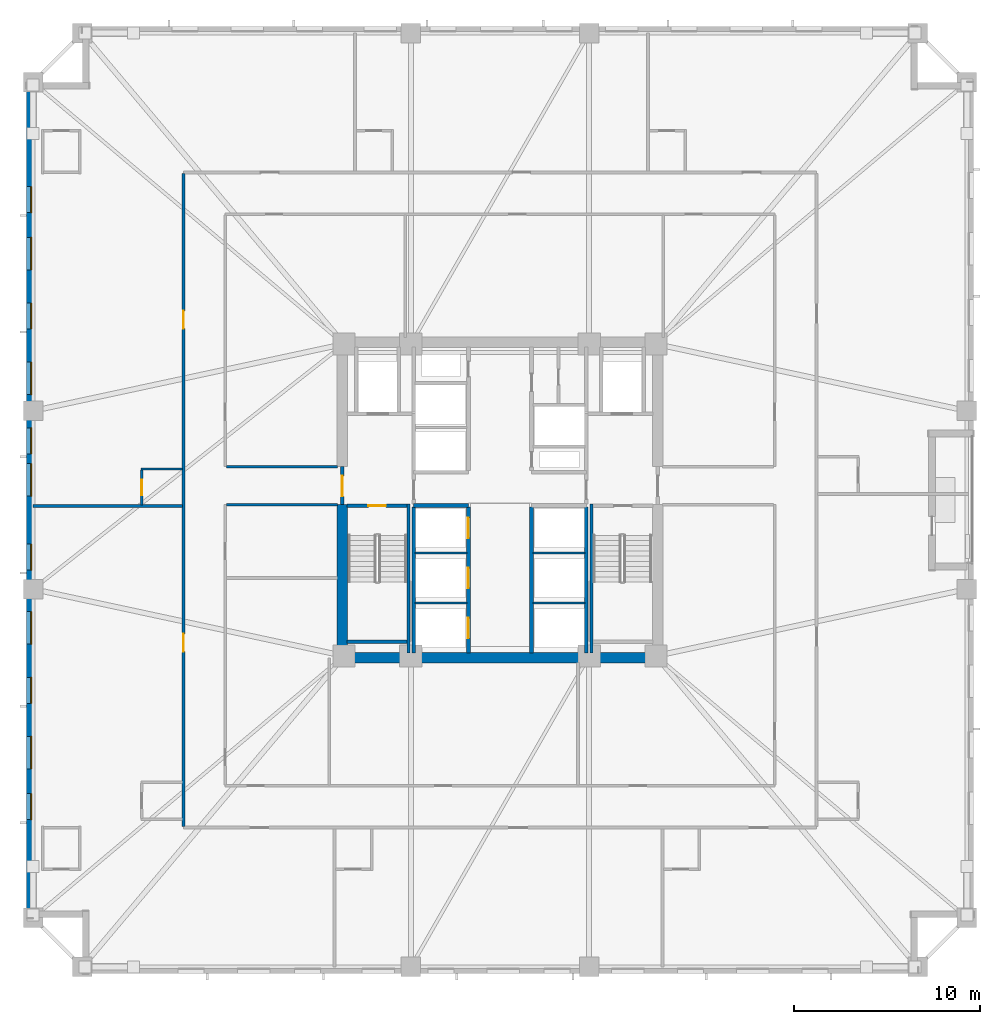
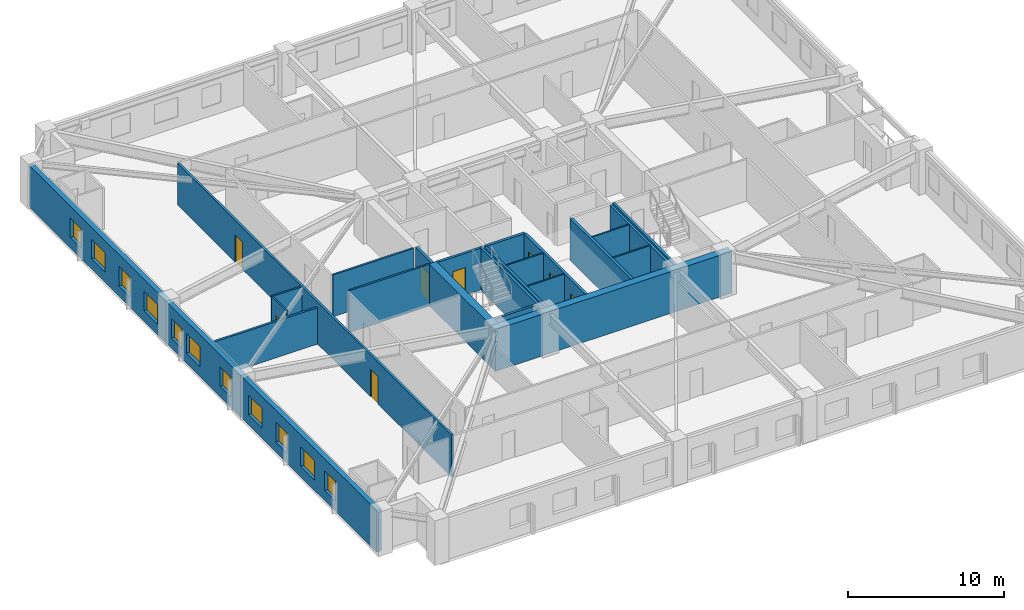
# One storey, part 3 of 11: 23 walls, 11 windows, 8 doors, 19 openings.
"""IFC4 building model written with IfcOpenShell, lengths in metres."""

from ifc_helpers import new_model, si_unit, direction, frame, frame_2d, origin, place, context, subcontext, project, spatial, rectangle, extrude, material, layer, layer_set, type_object, element, fill, save


model = new_model("IFC4")

# Units and contexts
model_context = context("Model", 3, precision=1e-05, world=origin(), true_north=direction((0.0, 1.0)))
body_context = subcontext(model_context, "Body", "Model", "MODEL_VIEW")
ifc_project = project(units=[si_unit("LENGTHUNIT", "METRE"), si_unit("AREAUNIT", "SQUARE_METRE"), si_unit("VOLUMEUNIT", "CUBIC_METRE"), si_unit("PLANEANGLEUNIT", "RADIAN"), si_unit("MASSUNIT", "GRAM", prefix="KILO")], contexts=[model_context])

# Site, building, storey
site_placement = place(None, origin())
site = spatial("IfcSite", under=ifc_project, at=site_placement, CompositionType="ELEMENT")
building_placement = place(site_placement, origin())
building = spatial("IfcBuilding", under=site, at=building_placement, Name="Cairnveth Concourse Tower", CompositionType="ELEMENT")
storey_placement = place(building_placement, frame((0.0, 0.0, 69.0)))
storey = spatial("IfcBuildingStorey", under=building, at=storey_placement, Name="L18", CompositionType="ELEMENT", Elevation=69.0)

# Wall, openings, doors
ifc_material_1 = material(Name="Gypsum Plasterboard Partition", Category="gypsum")
ifc_layer_1 = layer(ifc_material_1, 0.159912109375)
ifc_layer_set_1 = layer_set([ifc_layer_1], Name="Gypsum Plasterboard Partition")
wall_type_1 = type_object("IfcWallType", Name="ACOUSTIC PARTY WALL 180", PredefinedType="PARTITIONING", material=ifc_layer_set_1)
wall_1_placement = place(storey_placement, frame((34.949951171875, 21.4150390625, 0.0), z_axis=(0.0, 0.0, 1.0), x_axis=(0.0, 1.0, 0.0)))
wall_1 = element("IfcWall", 1, at=wall_1_placement, inside=storey, type_object=wall_type_1, Name="Interior Wall IW-L18-040", PredefinedType="PARTITIONING", context=body_context, shape_type="SweptSolid", body=[
    extrude(rectangle(XDim=35.169921875, YDim=0.159912109375, at=frame_2d((17.5849609375, 0.0))), origin(), (0.0, 0.0, 1.0), 3.280029296875),
])
opening_1_placement = place(wall_1_placement, frame((9.414306640625, 0.0, 0.0)))
opening_1 = element("IfcOpeningElement", 2, at=opening_1_placement, cuts=wall_1, Name="Opening ID09", PredefinedType="OPENING", context=body_context, shape_type="SweptSolid", body=[
    extrude(rectangle(XDim=0.9599609375, YDim=2.14990234375, at=frame_2d((0.47998046875, 1.074951171875))), frame((0.0, 0.08984375, 0.0), z_axis=(0.0, -1.0, 0.0), x_axis=(1.0, 0.0, 0.0)), (0.0, 0.0, 1.0), 0.179931640625),
])
opening_2_placement = place(wall_1_placement, frame((26.814208984375, 0.0, 0.0)))
opening_2 = element("IfcOpeningElement", 3, at=opening_2_placement, cuts=wall_1, Name="Opening ID09", PredefinedType="OPENING", context=body_context, shape_type="SweptSolid", body=[
    extrude(rectangle(XDim=0.9599609375, YDim=2.14990234375, at=frame_2d((0.47998046875, 1.074951171875))), frame((0.0, 0.08984375, 0.0), z_axis=(0.0, -1.0, 0.0), x_axis=(1.0, 0.0, 0.0)), (0.0, 0.0, 1.0), 0.179931640625),
])
ifc_material_2 = material(Name="Solid Core Hardwood Timber Leaf", Category="wood")
door_type_1 = type_object("IfcDoorType", Name="HOTEL ENTRANCE DOOR 960X2150", OperationType="NOTDEFINED", PredefinedType="DOOR", material=ifc_material_2)
door_1_placement = place(opening_1_placement, origin())
door_1 = element("IfcDoor", 4, at=door_1_placement, inside=storey, type_object=door_type_1, Name="Hotel Room Door L18-W1", OperationType="SINGLE_SWING_RIGHT", OverallHeight=2.14990234375, OverallWidth=0.9599609375, PredefinedType="DOOR", context=body_context, shape_type="SweptSolid", body=[
    extrude(rectangle(XDim=0.9599609375, YDim=2.14990234375, at=frame_2d((0.47998046875, 1.074951171875))), frame((0.0, 0.02490234375, 0.0), z_axis=(0.0, -1.0, 0.0), x_axis=(1.0, 0.0, 0.0)), (0.0, 0.0, 1.0), 0.050048828125),
])
fill(opening_1, door_1)
door_2_placement = place(opening_2_placement, origin())
door_2 = element("IfcDoor", 5, at=door_2_placement, inside=storey, type_object=door_type_1, Name="Hotel Room Door L18-W2", OperationType="SINGLE_SWING_RIGHT", OverallHeight=2.14990234375, OverallWidth=0.9599609375, PredefinedType="DOOR", context=body_context, shape_type="SweptSolid", body=[
    extrude(rectangle(XDim=0.9599609375, YDim=2.14990234375, at=frame_2d((0.47998046875, 1.074951171875))), frame((0.0, 0.02490234375, 0.0), z_axis=(0.0, -1.0, 0.0), x_axis=(1.0, 0.0, 0.0)), (0.0, 0.0, 1.0), 0.050048828125),
])
fill(opening_2, door_2)

# Walls
wall_2_placement = place(storey_placement, frame((26.844970703125, 38.66845703125, 0.0), z_axis=(0.0, 0.0, 1.0), x_axis=(1.0, 0.0, 0.0)))
element("IfcWall", 6, at=wall_2_placement, inside=storey, type_object=wall_type_1, Name="Interior Wall IW-L18-080", PredefinedType="PARTITIONING", context=body_context, shape_type="SweptSolid", body=[
    extrude(rectangle(XDim=8.0400390625, YDim=0.159912109375, at=frame_2d((4.02001953125, 0.0))), origin(), (0.0, 0.0, 1.0), 2.84912109375),
])
ifc_material_3 = material(Name="Concrete N80 (80 MPa)", Category="concrete")
ifc_layer_2 = layer(ifc_material_3, 0.550048828125)
ifc_layer_set_2 = layer_set([ifc_layer_2], Name="Concrete N80 (80 MPa)")
wall_type_2 = type_object("IfcWallType", Name="CORE SHEAR WALL 550", PredefinedType="SHEAR", material=ifc_layer_set_2)
wall_3_placement = place(storey_placement, frame((43.22509765625, 30.5, 0.0), z_axis=(0.0, 0.0, 1.0), x_axis=(1.0, 0.0, 0.0)))
element("IfcWall", 7, at=wall_3_placement, inside=storey, type_object=wall_type_2, Name="Core South Shear Wall L18", PredefinedType="SHEAR", context=body_context, shape_type="SweptSolid", body=[
    extrude(rectangle(XDim=17.5498046875, YDim=0.550048828125, at=frame_2d((8.77490234375, 0.0))), origin(), (0.0, 0.0, 1.0), 3.280029296875),
])
wall_4_placement = place(storey_placement, frame((43.5, 30.764892578125, 0.0), z_axis=(0.0, 0.0, 1.0), x_axis=(0.0, 1.0, 0.0)))
element("IfcWall", 8, at=wall_4_placement, inside=storey, type_object=wall_type_2, Name="Core West Shear Wall S L18", PredefinedType="SHEAR", context=body_context, shape_type="SweptSolid", body=[
    extrude(rectangle(XDim=7.985107421875, YDim=0.550048828125, at=frame_2d((3.99267578125, 0.0))), origin(), (0.0, 0.0, 1.0), 3.280029296875),
])
ifc_material_4 = material(Name="Concrete N50 (50 MPa)", Category="concrete")
ifc_layer_3 = layer(ifc_material_4, 0.179931640625)
ifc_layer_set_3 = layer_set([ifc_layer_3], Name="Concrete N50 (50 MPa)")
wall_type_3 = type_object("IfcWallType", Name="FIRE SHAFT WALL 180", PredefinedType="SOLIDWALL", material=ifc_layer_set_3)
for number, where, z_axis, x_axis, name in (
    (9, (47.35009765625, 30.760009765625, 0.0), (0.0, 0.0, 1.0), (0.0, 1.0, 0.0), "Interior Wall IW-L18-025"),
    (10, (56.64990234375, 30.760009765625, 0.0), (0.0, 0.0, 1.0), (0.0, 1.0, 0.0), "Interior Wall IW-L18-028"),
):
    element("IfcWall", number, at=place(storey_placement, frame(where, z_axis=z_axis, x_axis=x_axis)), inside=storey, type_object=wall_type_3, Name=name, PredefinedType="SOLIDWALL", context=body_context, shape_type="SweptSolid", body=[
        extrude(rectangle(XDim=7.85498046875, YDim=0.179931640625, at=frame_2d((3.927490234375, 0.0))), origin(), (0.0, 0.0, 1.0), 3.280029296875),
    ])

# Wall, opening, door
wall_5_placement = place(storey_placement, frame((43.764892578125, 38.68994140625, 0.0), z_axis=(0.0, 0.0, 1.0), x_axis=(1.0, 0.0, 0.0)))
wall_5 = element("IfcWall", 11, at=wall_5_placement, inside=storey, type_object=wall_type_3, Name="Stair ST-1 Shaft Wall NEAR L18", PredefinedType="SOLIDWALL", context=body_context, shape_type="SweptSolid", body=[
    extrude(rectangle(XDim=3.230224609375, YDim=0.179931640625, at=frame_2d((1.615234375, 0.0))), origin(), (0.0, 0.0, 1.0), 3.280029296875),
])
opening_3_placement = place(wall_5_placement, frame((1.139892578125, 0.0, 0.0)))
opening_3 = element("IfcOpeningElement", 12, at=opening_3_placement, cuts=wall_5, Name="Opening ID12", PredefinedType="OPENING", context=body_context, shape_type="SweptSolid", body=[
    extrude(rectangle(XDim=0.949951171875, YDim=2.14990234375, at=frame_2d((0.47509765625, 1.074951171875))), frame((0.0, 0.099853515625, 0.0), z_axis=(0.0, -1.0, 0.0), x_axis=(1.0, 0.0, 0.0)), (0.0, 0.0, 1.0), 0.199951171875),
])
ifc_material_5 = material(Name="Steel Grade 350", Category="steel")
door_type_2 = type_object("IfcDoorType", Name="FIRE STAIR DOOR 950X2150", OperationType="NOTDEFINED", PredefinedType="DOOR", material=ifc_material_5)
door_3_placement = place(opening_3_placement, origin())
door_3 = element("IfcDoor", 13, at=door_3_placement, inside=storey, type_object=door_type_2, Name="Stair ST-1 Fire Door L18", OperationType="SINGLE_SWING_LEFT", OverallHeight=2.14990234375, OverallWidth=0.949951171875, PredefinedType="DOOR", context=body_context, shape_type="SweptSolid", body=[
    extrude(rectangle(XDim=0.949951171875, YDim=2.14990234375, at=frame_2d((0.47509765625, 1.074951171875))), frame((0.0, 0.02490234375, 0.0), z_axis=(0.0, -1.0, 0.0), x_axis=(1.0, 0.0, 0.0)), (0.0, 0.0, 1.0), 0.050048828125),
])
fill(opening_3, door_3)

# Walls
wall_6_placement = place(storey_placement, frame((43.764892578125, 31.360107421875, 0.0), z_axis=(0.0, 0.0, 1.0), x_axis=(1.0, 0.0, 0.0)))
element("IfcWall", 14, at=wall_6_placement, inside=storey, type_object=wall_type_3, Name="Stair ST-1 Shaft Wall FAR L18", PredefinedType="SOLIDWALL", context=body_context, shape_type="SweptSolid", body=[
    extrude(rectangle(XDim=3.230224609375, YDim=0.179931640625, at=frame_2d((1.615234375, 0.0))), origin(), (0.0, 0.0, 1.0), 3.280029296875),
])
for number, where, z_axis, x_axis, name in (
    (15, (47.070068359375, 38.780029296875, 0.0), (0.0, 0.0, 1.0), (0.0, -1.0, 0.0), "Stair ST-1 Shaft Wall RGHT L18"),
    (16, (56.929931640625, 38.780029296875, 0.0), (0.0, 0.0, 1.0), (0.0, -1.0, 0.0), "Stair ST-2 Shaft Wall LEFT L18"),
):
    element("IfcWall", number, at=place(storey_placement, frame(where, z_axis=z_axis, x_axis=x_axis)), inside=storey, type_object=wall_type_3, Name=name, PredefinedType="SOLIDWALL", context=body_context, shape_type="SweptSolid", body=[
        extrude(rectangle(XDim=8.01708984375, YDim=0.179931640625, at=frame_2d((4.008544921875, 0.0))), origin(), (0.0, 0.0, 1.0), 3.280029296875),
    ])
ifc_layer_4 = layer(ifc_material_4, 0.199951171875)
ifc_layer_set_4 = layer_set([ifc_layer_4], Name="Concrete N50 (50 MPa)")
wall_type_4 = type_object("IfcWallType", Name="FIRE SHAFT WALL 200", PredefinedType="SOLIDWALL", material=ifc_layer_set_4)
wall_7_placement = place(storey_placement, frame((47.35009765625, 38.699951171875, 0.0), z_axis=(0.0, 0.0, 1.0), x_axis=(1.0, 0.0, 0.0)))
element("IfcWall", 17, at=wall_7_placement, inside=storey, type_object=wall_type_4, Name="Interior Wall IW-L18-007", PredefinedType="SOLIDWALL", context=body_context, shape_type="SweptSolid", body=[
    extrude(rectangle(XDim=2.949951171875, YDim=0.199951171875, at=frame_2d((1.47509765625, 0.0))), origin(), (0.0, 0.0, 1.0), 3.280029296875),
])

# Wall, openings, doors
wall_8_placement = place(storey_placement, frame((50.300048828125, 30.760009765625, 0.0), z_axis=(0.0, 0.0, 1.0), x_axis=(0.0, 1.0, 0.0)))
wall_8 = element("IfcWall", 18, at=wall_8_placement, inside=storey, type_object=wall_type_4, Name="Interior Wall IW-L18-011", PredefinedType="SOLIDWALL", context=body_context, shape_type="SweptSolid", body=[
    extrude(rectangle(XDim=7.85498046875, YDim=0.199951171875, at=frame_2d((3.927490234375, 0.0))), origin(), (0.0, 0.0, 1.0), 3.280029296875),
])
opening_4_placement = place(wall_8_placement, frame((0.7900390625, 0.0, 0.0)))
opening_4 = element("IfcOpeningElement", 19, at=opening_4_placement, cuts=wall_8, Name="Opening LD-1", PredefinedType="OPENING", context=body_context, shape_type="SweptSolid", body=[
    extrude(rectangle(XDim=1.10009765625, YDim=2.199951171875, at=frame_2d((0.550048828125, 1.10009765625))), frame((0.0, 0.10986328125, 0.0), z_axis=(0.0, -1.0, 0.0), x_axis=(1.0, 0.0, 0.0)), (0.0, 0.0, 1.0), 0.219970703125),
])
opening_5_placement = place(wall_8_placement, frame((3.489990234375, 0.0, 0.0)))
opening_5 = element("IfcOpeningElement", 20, at=opening_5_placement, cuts=wall_8, Name="Opening LD-1", PredefinedType="OPENING", context=body_context, shape_type="SweptSolid", body=[
    extrude(rectangle(XDim=1.10009765625, YDim=2.199951171875, at=frame_2d((0.550048828125, 1.10009765625))), frame((0.0, 0.10986328125, 0.0), z_axis=(0.0, -1.0, 0.0), x_axis=(1.0, 0.0, 0.0)), (0.0, 0.0, 1.0), 0.219970703125),
])
opening_6_placement = place(wall_8_placement, frame((6.18994140625, 0.0, 0.0)))
opening_6 = element("IfcOpeningElement", 21, at=opening_6_placement, cuts=wall_8, Name="Opening LD-1", PredefinedType="OPENING", context=body_context, shape_type="SweptSolid", body=[
    extrude(rectangle(XDim=1.10009765625, YDim=2.199951171875, at=frame_2d((0.550048828125, 1.10009765625))), frame((0.0, 0.10986328125, 0.0), z_axis=(0.0, -1.0, 0.0), x_axis=(1.0, 0.0, 0.0)), (0.0, 0.0, 1.0), 0.219970703125),
])
ifc_material_6 = material(Name="Architectural Bronze Anodised Aluminium 6063-T6", Category="aluminium")
door_type_3 = type_object("IfcDoorType", Name="LIFT LANDING DOOR 1100X2200", OperationType="SLIDING_TO_LEFT", PredefinedType="DOOR", material=ifc_material_6)
door_4_placement = place(opening_4_placement, origin())
door_4 = element("IfcDoor", 22, at=door_4_placement, inside=storey, type_object=door_type_3, Name="Lift PL1 Landing Door L18", OperationType="SLIDING_TO_LEFT", OverallHeight=2.199951171875, OverallWidth=1.10009765625, PredefinedType="DOOR", context=body_context, shape_type="SweptSolid", body=[
    extrude(rectangle(XDim=1.10009765625, YDim=2.199951171875, at=frame_2d((0.550048828125, 1.10009765625))), frame((0.0, 0.02490234375, 0.0), z_axis=(0.0, -1.0, 0.0), x_axis=(1.0, 0.0, 0.0)), (0.0, 0.0, 1.0), 0.050048828125),
])
fill(opening_4, door_4)
door_5_placement = place(opening_5_placement, origin())
door_5 = element("IfcDoor", 23, at=door_5_placement, inside=storey, type_object=door_type_3, Name="Lift PL2 Landing Door L18", OperationType="SLIDING_TO_LEFT", OverallHeight=2.199951171875, OverallWidth=1.10009765625, PredefinedType="DOOR", context=body_context, shape_type="SweptSolid", body=[
    extrude(rectangle(XDim=1.10009765625, YDim=2.199951171875, at=frame_2d((0.550048828125, 1.10009765625))), frame((0.0, 0.02490234375, 0.0), z_axis=(0.0, -1.0, 0.0), x_axis=(1.0, 0.0, 0.0)), (0.0, 0.0, 1.0), 0.050048828125),
])
fill(opening_5, door_5)
door_6_placement = place(opening_6_placement, origin())
door_6 = element("IfcDoor", 24, at=door_6_placement, inside=storey, type_object=door_type_3, Name="Lift PL3 Landing Door L18", OperationType="SLIDING_TO_LEFT", OverallHeight=2.199951171875, OverallWidth=1.10009765625, PredefinedType="DOOR", context=body_context, shape_type="SweptSolid", body=[
    extrude(rectangle(XDim=1.10009765625, YDim=2.199951171875, at=frame_2d((0.550048828125, 1.10009765625))), frame((0.0, 0.02490234375, 0.0), z_axis=(0.0, -1.0, 0.0), x_axis=(1.0, 0.0, 0.0)), (0.0, 0.0, 1.0), 0.050048828125),
])
fill(opening_6, door_6)

# Wall
wall_9_placement = place(storey_placement, frame((53.699951171875, 30.760009765625, 0.0), z_axis=(0.0, 0.0, 1.0), x_axis=(0.0, 1.0, 0.0)))
element("IfcWall", 25, at=wall_9_placement, inside=storey, type_object=wall_type_4, Name="Interior Wall IW-L18-012", PredefinedType="SOLIDWALL", context=body_context, shape_type="SweptSolid", body=[
    extrude(rectangle(XDim=7.85498046875, YDim=0.199951171875, at=frame_2d((3.927490234375, 0.0))), origin(), (0.0, 0.0, 1.0), 3.280029296875),
])

# Wall, opening, door
wall_10_placement = place(storey_placement, frame((43.5, 38.75, 0.0), z_axis=(0.0, 0.0, 1.0), x_axis=(0.0, 1.0, 0.0)))
wall_10 = element("IfcWall", 26, at=wall_10_placement, inside=storey, type_object=wall_type_4, Name="Interior Wall IW-L18-015", PredefinedType="SOLIDWALL", context=body_context, shape_type="SweptSolid", body=[
    extrude(rectangle(XDim=2.050048828125, YDim=0.199951171875, at=frame_2d((1.02490234375, 0.0))), origin(), (0.0, 0.0, 1.0), 3.280029296875),
])
opening_7_placement = place(wall_10_placement, frame((0.449951171875, 0.0, 0.0)))
opening_7 = element("IfcOpeningElement", 27, at=opening_7_placement, cuts=wall_10, Name="Opening ID06", PredefinedType="OPENING", context=body_context, shape_type="SweptSolid", body=[
    extrude(rectangle(XDim=1.10009765625, YDim=2.14990234375, at=frame_2d((0.550048828125, 1.074951171875))), frame((0.0, 0.10986328125, 0.0), z_axis=(0.0, -1.0, 0.0), x_axis=(1.0, 0.0, 0.0)), (0.0, 0.0, 1.0), 0.219970703125),
])
door_type_4 = type_object("IfcDoorType", Name="FIRE CORRIDOR DOOR 1100X2150", OperationType="NOTDEFINED", PredefinedType="DOOR", material=ifc_material_5)
door_7_placement = place(opening_7_placement, origin())
door_7 = element("IfcDoor", 28, at=door_7_placement, inside=storey, type_object=door_type_4, Name="West Wing to FF Lobby Door L18", OperationType="SINGLE_SWING_LEFT", OverallHeight=2.14990234375, OverallWidth=1.10009765625, PredefinedType="DOOR", context=body_context, shape_type="SweptSolid", body=[
    extrude(rectangle(XDim=1.10009765625, YDim=2.14990234375, at=frame_2d((0.550048828125, 1.074951171875))), frame((0.0, 0.02490234375, 0.0), z_axis=(0.0, -1.0, 0.0), x_axis=(1.0, 0.0, 0.0)), (0.0, 0.0, 1.0), 0.050048828125),
])
fill(opening_7, door_7)

# Walls
ifc_layer_5 = layer(ifc_material_1, 0.139892578125)
ifc_layer_set_5 = layer_set([ifc_layer_5], Name="Gypsum Plasterboard Partition")
wall_type_5 = type_object("IfcWallType", Name="GYPSUM STUD PARTITION 140", PredefinedType="PARTITIONING", material=ifc_layer_set_5)
for number, where, z_axis, x_axis, name in (
    (29, (37.2548828125, 38.75, 0.0), (0.0, 0.0, 1.0), (1.0, 0.0, 0.0), "Interior Wall IW-L18-046"),
    (30, (37.2548828125, 40.800048828125, 0.0), (0.0, 0.0, 1.0), (1.0, 0.0, 0.0), "Interior Wall IW-L18-047"),
):
    element("IfcWall", number, at=place(storey_placement, frame(where, z_axis=z_axis, x_axis=x_axis)), inside=storey, type_object=wall_type_5, Name=name, PredefinedType="PARTITIONING", context=body_context, shape_type="SweptSolid", body=[
        extrude(rectangle(XDim=5.985107421875, YDim=0.139892578125, at=frame_2d((2.99267578125, 0.0))), origin(), (0.0, 0.0, 1.0), 3.280029296875),
    ])
ifc_layer_6 = layer(ifc_material_1, 0.110107421875)
ifc_layer_set_6 = layer_set([ifc_layer_6], Name="Gypsum Plasterboard Partition")
wall_type_6 = type_object("IfcWallType", Name="SHAFT DIVIDER WALL 140", PredefinedType="PARTITIONING", material=ifc_layer_set_6)
for number, where, z_axis, x_axis, name in (
    (31, (47.425048828125, 33.449951171875, 0.0), (0.0, 0.0, 1.0), (1.0, 0.0, 0.0), "Interior Wall IW-L18-026"),
    (32, (47.425048828125, 36.14990234375, 0.0), (0.0, 0.0, 1.0), (1.0, 0.0, 0.0), "Interior Wall IW-L18-027"),
    (33, (53.784912109375, 33.449951171875, 0.0), (0.0, 0.0, 1.0), (1.0, 0.0, 0.0), "Interior Wall IW-L18-029"),
    (34, (53.784912109375, 36.14990234375, 0.0), (0.0, 0.0, 1.0), (1.0, 0.0, 0.0), "Interior Wall IW-L18-030"),
):
    element("IfcWall", number, at=place(storey_placement, frame(where, z_axis=z_axis, x_axis=x_axis)), inside=storey, type_object=wall_type_6, Name=name, PredefinedType="PARTITIONING", context=body_context, shape_type="SweptSolid", body=[
        extrude(rectangle(XDim=2.7900390625, YDim=0.110107421875, at=frame_2d((1.39501953125, 0.0))), origin(), (0.0, 0.0, 1.0), 3.280029296875),
    ])
ifc_layer_7 = layer(ifc_material_1, 0.1298828125)
ifc_layer_set_7 = layer_set([ifc_layer_7], Name="Gypsum Plasterboard Partition")
wall_type_7 = type_object("IfcWallType", Name="WET AREA PARTITION 140", PredefinedType="PLUMBINGWALL", material=ifc_layer_set_7)
wall_11_placement = place(storey_placement, frame((32.64990234375, 40.66845703125, 0.0), z_axis=(0.0, 0.0, 1.0), x_axis=(1.0, 0.0, 0.0)))
element("IfcWall", 35, at=wall_11_placement, inside=storey, type_object=wall_type_7, Name="Interior Wall IW-L18-081", PredefinedType="PLUMBINGWALL", context=body_context, shape_type="SweptSolid", body=[
    extrude(rectangle(XDim=2.235107421875, YDim=0.1298828125, at=frame_2d((1.11767578125, 0.0))), origin(), (0.0, 0.0, 1.0), 3.280029296875),
])

# Wall, opening, door
wall_12_placement = place(storey_placement, frame((32.699951171875, 38.7333984375, 0.0), z_axis=(0.0, 0.0, 1.0), x_axis=(0.0, 1.0, 0.0)))
wall_12 = element("IfcWall", 36, at=wall_12_placement, inside=storey, type_object=wall_type_7, Name="Interior Wall IW-L18-082", PredefinedType="PLUMBINGWALL", context=body_context, shape_type="SweptSolid", body=[
    extrude(rectangle(XDim=1.885009765625, YDim=0.1298828125, at=frame_2d((0.9423828125, 0.0))), origin(), (0.0, 0.0, 1.0), 3.280029296875),
])
opening_8_placement = place(wall_12_placement, frame((0.52490234375, 0.0, 0.0)))
opening_8 = element("IfcOpeningElement", 37, at=opening_8_placement, cuts=wall_12, Name="Opening ID22", PredefinedType="OPENING", context=body_context, shape_type="SweptSolid", body=[
    extrude(rectangle(XDim=0.820068359375, YDim=2.10009765625, at=frame_2d((0.41015625, 1.050048828125))), frame((0.0, 0.074951171875, 0.0), z_axis=(0.0, -1.0, 0.0), x_axis=(1.0, 0.0, 0.0)), (0.0, 0.0, 1.0), 0.14990234375),
])
door_type_5 = type_object("IfcDoorType", Name="INTERIOR WC DOOR 820X2100", OperationType="NOTDEFINED", PredefinedType="DOOR", material=ifc_material_2)
door_8_placement = place(opening_8_placement, origin())
door_8 = element("IfcDoor", 38, at=door_8_placement, inside=storey, type_object=door_type_5, Name="En-Suite Door L18-W2", OperationType="SINGLE_SWING_LEFT", OverallHeight=2.10009765625, OverallWidth=0.820068359375, PredefinedType="DOOR", context=body_context, shape_type="SweptSolid", body=[
    extrude(rectangle(XDim=0.820068359375, YDim=2.10009765625, at=frame_2d((0.41015625, 1.050048828125))), frame((0.0, 0.02490234375, 0.0), z_axis=(0.0, -1.0, 0.0), x_axis=(1.0, 0.0, 0.0)), (0.0, 0.0, 1.0), 0.050048828125),
])
fill(opening_8, door_8)

# Wall, openings, windows
ifc_material_7 = material(Name="Hawthorn Red-Ochre Fired Clay Brick Masonry", Category="masonry")
ifc_layer_8 = layer(ifc_material_7, 0.360107421875)
ifc_layer_set_8 = layer_set([ifc_layer_8], Name="Hawthorn Red-Ochre Fired Clay Brick Masonry")
wall_type_8 = type_object("IfcWallType", Name="ZONE 1 BRICK PIER SPANDREL WALL 360", PredefinedType="SOLIDWALL", material=ifc_layer_set_8)
wall_13_placement = place(storey_placement, frame((26.679931640625, 16.5, 0.0), z_axis=(0.0, 0.0, 1.0), x_axis=(0.0, 1.0, 0.0)))
wall_13 = element("IfcWall", 39, at=wall_13_placement, inside=storey, type_object=wall_type_8, Name="Exterior Wall EW-L18-S06", PredefinedType="SOLIDWALL", context=body_context, shape_type="SweptSolid", body=[
    extrude(rectangle(XDim=44.662109375, YDim=0.360107421875, at=frame_2d((22.3310546875, 0.0))), origin(), (0.0, 0.0, 1.0), 3.280029296875),
])
opening_9_placement = place(wall_13_placement, frame((5.280029296875, 0.0, 0.800048828125)))
opening_9 = element("IfcOpeningElement", 40, at=opening_9_placement, cuts=wall_13, Name="Opening W05", PredefinedType="OPENING", context=body_context, shape_type="SweptSolid", body=[
    extrude(rectangle(XDim=1.39990234375, YDim=1.5439453125, at=frame_2d((0.699951171875, 0.77197265625))), frame((0.0, 0.18994140625, 0.0), z_axis=(0.0, -1.0, 0.0), x_axis=(1.0, 0.0, 0.0)), (0.0, 0.0, 1.0), 0.380126953125),
])
opening_10_placement = place(wall_13_placement, frame((8.015380859375, 0.0, 0.800048828125)))
opening_10 = element("IfcOpeningElement", 41, at=opening_10_placement, cuts=wall_13, Name="Opening W06", PredefinedType="OPENING", context=body_context, shape_type="SweptSolid", body=[
    extrude(rectangle(XDim=1.75, YDim=1.5439453125, at=frame_2d((0.875, 0.77197265625))), frame((0.0, 0.18994140625, 0.0), z_axis=(0.0, -1.0, 0.0), x_axis=(1.0, 0.0, 0.0)), (0.0, 0.0, 1.0), 0.380126953125),
])
opening_11_placement = place(wall_13_placement, frame((11.550537109375, 0.0, 0.800048828125)))
opening_11 = element("IfcOpeningElement", 42, at=opening_11_placement, cuts=wall_13, Name="Opening W05", PredefinedType="OPENING", context=body_context, shape_type="SweptSolid", body=[
    extrude(rectangle(XDim=1.39990234375, YDim=1.5439453125, at=frame_2d((0.699951171875, 0.77197265625))), frame((0.0, 0.18994140625, 0.0), z_axis=(0.0, -1.0, 0.0), x_axis=(1.0, 0.0, 0.0)), (0.0, 0.0, 1.0), 0.380126953125),
])
opening_12_placement = place(wall_13_placement, frame((14.735595703125, 0.0, 0.800048828125)))
opening_12 = element("IfcOpeningElement", 43, at=opening_12_placement, cuts=wall_13, Name="Opening W06", PredefinedType="OPENING", context=body_context, shape_type="SweptSolid", body=[
    extrude(rectangle(XDim=1.75, YDim=1.5439453125, at=frame_2d((0.875, 0.77197265625))), frame((0.0, 0.18994140625, 0.0), z_axis=(0.0, -1.0, 0.0), x_axis=(1.0, 0.0, 0.0)), (0.0, 0.0, 1.0), 0.380126953125),
])
opening_13_placement = place(wall_13_placement, frame((18.720703125, 0.0, 0.800048828125)))
opening_13 = element("IfcOpeningElement", 44, at=opening_13_placement, cuts=wall_13, Name="Opening W05", PredefinedType="OPENING", context=body_context, shape_type="SweptSolid", body=[
    extrude(rectangle(XDim=1.39990234375, YDim=1.5439453125, at=frame_2d((0.699951171875, 0.77197265625))), frame((0.0, 0.18994140625, 0.0), z_axis=(0.0, -1.0, 0.0), x_axis=(1.0, 0.0, 0.0)), (0.0, 0.0, 1.0), 0.380126953125),
])
opening_14_placement = place(wall_13_placement, frame((22.7060546875, 0.0, 0.800048828125)))
opening_14 = element("IfcOpeningElement", 45, at=opening_14_placement, cuts=wall_13, Name="Opening W06", PredefinedType="OPENING", context=body_context, shape_type="SweptSolid", body=[
    extrude(rectangle(XDim=1.75, YDim=1.5439453125, at=frame_2d((0.875, 0.77197265625))), frame((0.0, 0.18994140625, 0.0), z_axis=(0.0, -1.0, 0.0), x_axis=(1.0, 0.0, 0.0)), (0.0, 0.0, 1.0), 0.380126953125),
])
opening_15_placement = place(wall_13_placement, frame((24.9912109375, 0.0, 0.800048828125)))
opening_15 = element("IfcOpeningElement", 46, at=opening_15_placement, cuts=wall_13, Name="Opening W05", PredefinedType="OPENING", context=body_context, shape_type="SweptSolid", body=[
    extrude(rectangle(XDim=1.39990234375, YDim=1.5439453125, at=frame_2d((0.699951171875, 0.77197265625))), frame((0.0, 0.18994140625, 0.0), z_axis=(0.0, -1.0, 0.0), x_axis=(1.0, 0.0, 0.0)), (0.0, 0.0, 1.0), 0.380126953125),
])
opening_16_placement = place(wall_13_placement, frame((28.176513671875, 0.0, 0.800048828125)))
opening_16 = element("IfcOpeningElement", 47, at=opening_16_placement, cuts=wall_13, Name="Opening W06", PredefinedType="OPENING", context=body_context, shape_type="SweptSolid", body=[
    extrude(rectangle(XDim=1.75, YDim=1.5439453125, at=frame_2d((0.875, 0.77197265625))), frame((0.0, 0.18994140625, 0.0), z_axis=(0.0, -1.0, 0.0), x_axis=(1.0, 0.0, 0.0)), (0.0, 0.0, 1.0), 0.380126953125),
])
opening_17_placement = place(wall_13_placement, frame((31.71142578125, 0.0, 0.800048828125)))
opening_17 = element("IfcOpeningElement", 48, at=opening_17_placement, cuts=wall_13, Name="Opening W05", PredefinedType="OPENING", context=body_context, shape_type="SweptSolid", body=[
    extrude(rectangle(XDim=1.39990234375, YDim=1.5439453125, at=frame_2d((0.699951171875, 0.77197265625))), frame((0.0, 0.18994140625, 0.0), z_axis=(0.0, -1.0, 0.0), x_axis=(1.0, 0.0, 0.0)), (0.0, 0.0, 1.0), 0.380126953125),
])
opening_18_placement = place(wall_13_placement, frame((34.896728515625, 0.0, 0.800048828125)))
opening_18 = element("IfcOpeningElement", 49, at=opening_18_placement, cuts=wall_13, Name="Opening W06", PredefinedType="OPENING", context=body_context, shape_type="SweptSolid", body=[
    extrude(rectangle(XDim=1.75, YDim=1.5439453125, at=frame_2d((0.875, 0.77197265625))), frame((0.0, 0.18994140625, 0.0), z_axis=(0.0, -1.0, 0.0), x_axis=(1.0, 0.0, 0.0)), (0.0, 0.0, 1.0), 0.380126953125),
])
opening_19_placement = place(wall_13_placement, frame((37.98193359375, 0.0, 0.800048828125)))
opening_19 = element("IfcOpeningElement", 50, at=opening_19_placement, cuts=wall_13, Name="Opening W05", PredefinedType="OPENING", context=body_context, shape_type="SweptSolid", body=[
    extrude(rectangle(XDim=1.39990234375, YDim=1.5439453125, at=frame_2d((0.699951171875, 0.77197265625))), frame((0.0, 0.18994140625, 0.0), z_axis=(0.0, -1.0, 0.0), x_axis=(1.0, 0.0, 0.0)), (0.0, 0.0, 1.0), 0.380126953125),
])
ifc_material_8 = material(Name="Double Glazed Low-E Clear Glass", Category="glass")
window_type_1 = type_object("IfcWindowType", Name="DEEP-SET HOTEL CASEMENT WINDOW 1400X1750", PartitioningType="DOUBLE_PANEL_VERTICAL", PredefinedType="WINDOW", material=ifc_material_8)
window_1_placement = place(opening_9_placement, origin())
window_1 = element("IfcWindow", 51, at=window_1_placement, inside=storey, type_object=window_type_1, Name="Gothic Lancet Window L18-6-1", OverallHeight=1.5439453125, OverallWidth=1.39990234375, PartitioningType="SINGLE_PANEL", PredefinedType="WINDOW", context=body_context, shape_type="SweptSolid", body=[
    extrude(rectangle(XDim=1.39990234375, YDim=1.5439453125, at=frame_2d((0.699951171875, 0.77197265625))), frame((0.0, -0.050048828125, 0.0), z_axis=(0.0, -1.0, 0.0), x_axis=(1.0, 0.0, 0.0)), (0.0, 0.0, 1.0), 0.06005859375),
])
fill(opening_9, window_1)
window_2_placement = place(opening_11_placement, origin())
window_2 = element("IfcWindow", 52, at=window_2_placement, inside=storey, type_object=window_type_1, Name="Gothic Lancet Window L18-6-3", OverallHeight=1.5439453125, OverallWidth=1.39990234375, PartitioningType="SINGLE_PANEL", PredefinedType="WINDOW", context=body_context, shape_type="SweptSolid", body=[
    extrude(rectangle(XDim=1.39990234375, YDim=1.5439453125, at=frame_2d((0.699951171875, 0.77197265625))), frame((0.0, -0.050048828125, 0.0), z_axis=(0.0, -1.0, 0.0), x_axis=(1.0, 0.0, 0.0)), (0.0, 0.0, 1.0), 0.06005859375),
])
fill(opening_11, window_2)
window_3_placement = place(opening_13_placement, origin())
window_3 = element("IfcWindow", 53, at=window_3_placement, inside=storey, type_object=window_type_1, Name="Gothic Lancet Window L18-6-5", OverallHeight=1.5439453125, OverallWidth=1.39990234375, PartitioningType="SINGLE_PANEL", PredefinedType="WINDOW", context=body_context, shape_type="SweptSolid", body=[
    extrude(rectangle(XDim=1.39990234375, YDim=1.5439453125, at=frame_2d((0.699951171875, 0.77197265625))), frame((0.0, -0.050048828125, 0.0), z_axis=(0.0, -1.0, 0.0), x_axis=(1.0, 0.0, 0.0)), (0.0, 0.0, 1.0), 0.06005859375),
])
fill(opening_13, window_3)
window_4_placement = place(opening_15_placement, origin())
window_4 = element("IfcWindow", 54, at=window_4_placement, inside=storey, type_object=window_type_1, Name="Gothic Lancet Window L18-6-7", OverallHeight=1.5439453125, OverallWidth=1.39990234375, PartitioningType="SINGLE_PANEL", PredefinedType="WINDOW", context=body_context, shape_type="SweptSolid", body=[
    extrude(rectangle(XDim=1.39990234375, YDim=1.5439453125, at=frame_2d((0.699951171875, 0.77197265625))), frame((0.0, -0.050048828125, 0.0), z_axis=(0.0, -1.0, 0.0), x_axis=(1.0, 0.0, 0.0)), (0.0, 0.0, 1.0), 0.06005859375),
])
fill(opening_15, window_4)
window_5_placement = place(opening_17_placement, origin())
window_5 = element("IfcWindow", 55, at=window_5_placement, inside=storey, type_object=window_type_1, Name="Gothic Lancet Window L18-6-9", OverallHeight=1.5439453125, OverallWidth=1.39990234375, PartitioningType="SINGLE_PANEL", PredefinedType="WINDOW", context=body_context, shape_type="SweptSolid", body=[
    extrude(rectangle(XDim=1.39990234375, YDim=1.5439453125, at=frame_2d((0.699951171875, 0.77197265625))), frame((0.0, -0.050048828125, 0.0), z_axis=(0.0, -1.0, 0.0), x_axis=(1.0, 0.0, 0.0)), (0.0, 0.0, 1.0), 0.06005859375),
])
fill(opening_17, window_5)
window_6_placement = place(opening_19_placement, origin())
window_6 = element("IfcWindow", 56, at=window_6_placement, inside=storey, type_object=window_type_1, Name="Gothic Lancet Window L18-6-11", OverallHeight=1.5439453125, OverallWidth=1.39990234375, PartitioningType="SINGLE_PANEL", PredefinedType="WINDOW", context=body_context, shape_type="SweptSolid", body=[
    extrude(rectangle(XDim=1.39990234375, YDim=1.5439453125, at=frame_2d((0.699951171875, 0.77197265625))), frame((0.0, -0.050048828125, 0.0), z_axis=(0.0, -1.0, 0.0), x_axis=(1.0, 0.0, 0.0)), (0.0, 0.0, 1.0), 0.06005859375),
])
fill(opening_19, window_6)
window_type_2 = type_object("IfcWindowType", Name="DEEP-SET HOTEL SUITE WINDOW 1750X1800", PartitioningType="DOUBLE_PANEL_VERTICAL", PredefinedType="WINDOW", material=ifc_material_8)
window_7_placement = place(opening_10_placement, origin())
window_7 = element("IfcWindow", 57, at=window_7_placement, inside=storey, type_object=window_type_2, Name="Gothic Lancet Window L18-6-2", OverallHeight=1.5439453125, OverallWidth=1.75, PartitioningType="SINGLE_PANEL", PredefinedType="WINDOW", context=body_context, shape_type="SweptSolid", body=[
    extrude(rectangle(XDim=1.75, YDim=1.5439453125, at=frame_2d((0.875, 0.77197265625))), frame((0.0, -0.050048828125, 0.0), z_axis=(0.0, -1.0, 0.0), x_axis=(1.0, 0.0, 0.0)), (0.0, 0.0, 1.0), 0.06005859375),
])
fill(opening_10, window_7)
window_8_placement = place(opening_12_placement, origin())
window_8 = element("IfcWindow", 58, at=window_8_placement, inside=storey, type_object=window_type_2, Name="Gothic Lancet Window L18-6-4", OverallHeight=1.5439453125, OverallWidth=1.75, PartitioningType="SINGLE_PANEL", PredefinedType="WINDOW", context=body_context, shape_type="SweptSolid", body=[
    extrude(rectangle(XDim=1.75, YDim=1.5439453125, at=frame_2d((0.875, 0.77197265625))), frame((0.0, -0.050048828125, 0.0), z_axis=(0.0, -1.0, 0.0), x_axis=(1.0, 0.0, 0.0)), (0.0, 0.0, 1.0), 0.06005859375),
])
fill(opening_12, window_8)
window_9_placement = place(opening_14_placement, origin())
window_9 = element("IfcWindow", 59, at=window_9_placement, inside=storey, type_object=window_type_2, Name="Gothic Lancet Window L18-6-6", OverallHeight=1.5439453125, OverallWidth=1.75, PartitioningType="SINGLE_PANEL", PredefinedType="WINDOW", context=body_context, shape_type="SweptSolid", body=[
    extrude(rectangle(XDim=1.75, YDim=1.5439453125, at=frame_2d((0.875, 0.77197265625))), frame((0.0, -0.050048828125, 0.0), z_axis=(0.0, -1.0, 0.0), x_axis=(1.0, 0.0, 0.0)), (0.0, 0.0, 1.0), 0.06005859375),
])
fill(opening_14, window_9)
window_10_placement = place(opening_16_placement, origin())
window_10 = element("IfcWindow", 60, at=window_10_placement, inside=storey, type_object=window_type_2, Name="Gothic Lancet Window L18-6-8", OverallHeight=1.5439453125, OverallWidth=1.75, PartitioningType="SINGLE_PANEL", PredefinedType="WINDOW", context=body_context, shape_type="SweptSolid", body=[
    extrude(rectangle(XDim=1.75, YDim=1.5439453125, at=frame_2d((0.875, 0.77197265625))), frame((0.0, -0.050048828125, 0.0), z_axis=(0.0, -1.0, 0.0), x_axis=(1.0, 0.0, 0.0)), (0.0, 0.0, 1.0), 0.06005859375),
])
fill(opening_16, window_10)
window_11_placement = place(opening_18_placement, origin())
window_11 = element("IfcWindow", 61, at=window_11_placement, inside=storey, type_object=window_type_2, Name="Gothic Lancet Window L18-6-10", OverallHeight=1.5439453125, OverallWidth=1.75, PartitioningType="SINGLE_PANEL", PredefinedType="WINDOW", context=body_context, shape_type="SweptSolid", body=[
    extrude(rectangle(XDim=1.75, YDim=1.5439453125, at=frame_2d((0.875, 0.77197265625))), frame((0.0, -0.050048828125, 0.0), z_axis=(0.0, -1.0, 0.0), x_axis=(1.0, 0.0, 0.0)), (0.0, 0.0, 1.0), 0.06005859375),
])
fill(opening_18, window_11)

save(model, "model.ifc")
